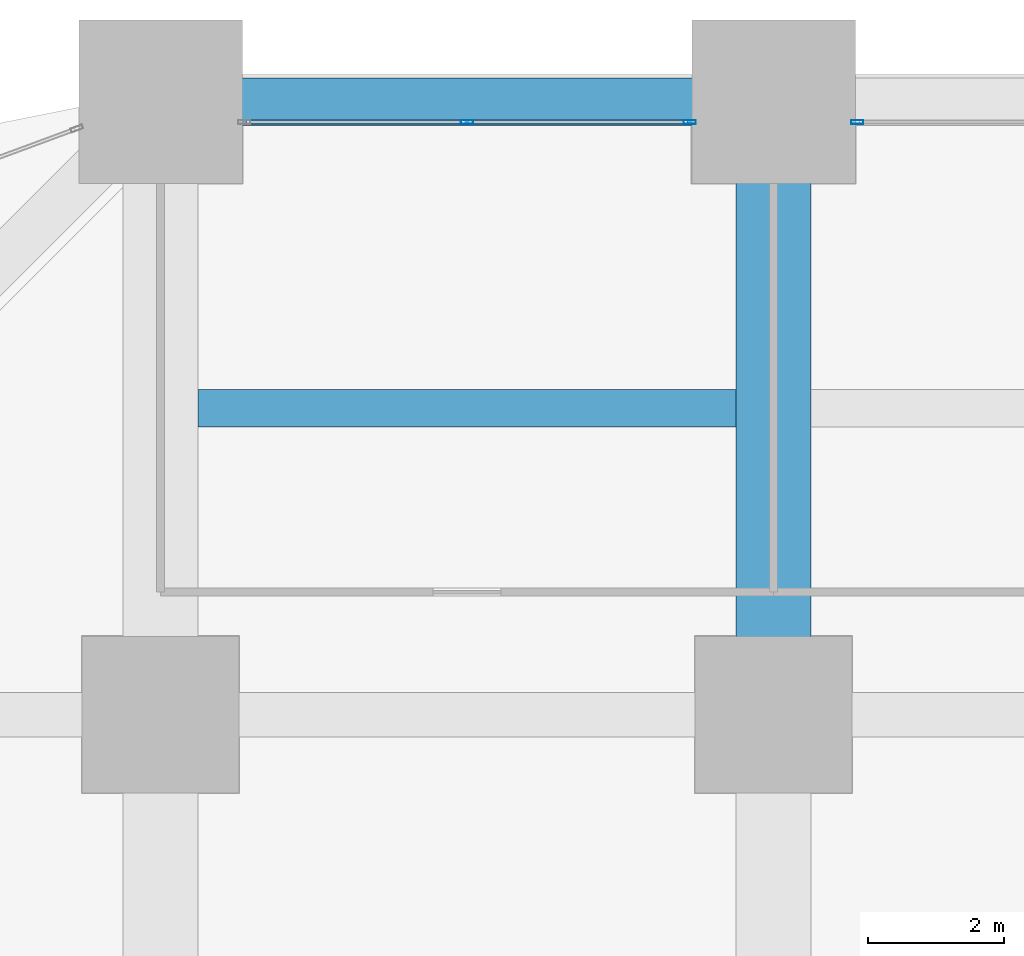
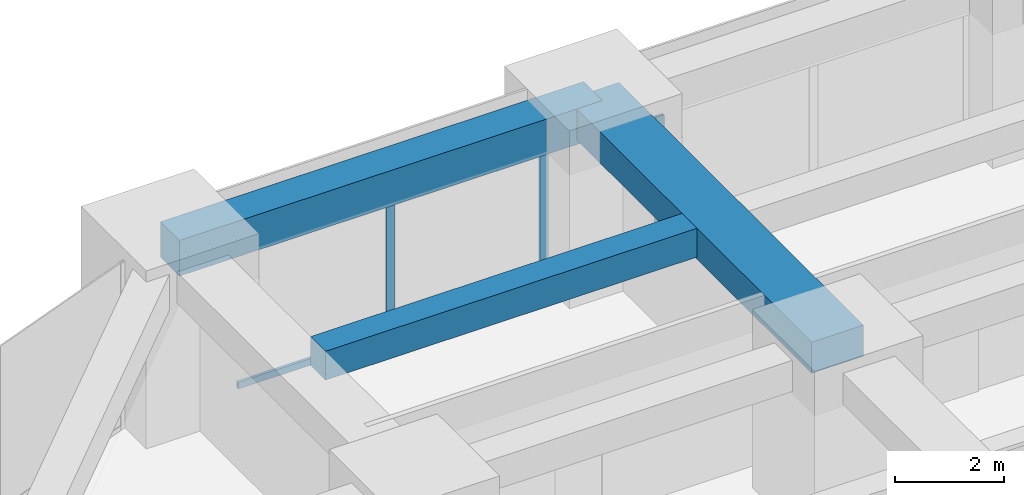
# One storey, part 19 of 39: 4 members, 3 beams, 2 elements without a shape of their own.
"""IFC4 building model written with IfcOpenShell, lengths in metres."""

from ifc_helpers import new_model, si_unit, direction, frame, origin, origin_2d, place, context, subcontext, project, spatial, rectangle, hollow_rectangle, extrude, material, material_profile, profile_set, type_object, element, aggregate, save


model = new_model("IFC4")

# Units and contexts
model_context = context("Model", 3, precision=1e-05, world=origin(), true_north=direction((0.0, 1.0)))
body_context = subcontext(model_context, "Body", "Model", "MODEL_VIEW")
ifc_project = project(units=[si_unit("LENGTHUNIT", "METRE"), si_unit("AREAUNIT", "SQUARE_METRE"), si_unit("VOLUMEUNIT", "CUBIC_METRE"), si_unit("PLANEANGLEUNIT", "RADIAN"), si_unit("MASSUNIT", "GRAM", prefix="KILO")], contexts=[model_context])

# Site, building, storey
site_placement = place(None, origin())
site = spatial("IfcSite", under=ifc_project, at=site_placement, CompositionType="ELEMENT")
building_placement = place(site_placement, origin())
building = spatial("IfcBuilding", under=site, at=building_placement, Name="Zorevar Civic Tower", CompositionType="ELEMENT")
storey_placement = place(building_placement, frame((0.0, 0.0, 19.800048828125)))
storey = spatial("IfcBuildingStorey", under=building, at=storey_placement, Name="L04", CompositionType="ELEMENT", Elevation=19.800048828125)

# Beams
ifc_material_1 = material(Name="Concrete C50/60", Category="concrete")
ifc_material_profile_1 = material_profile(ifc_material_1, rectangle(XDim=1.10009765625, YDim=0.699951171875, at=origin_2d()), Name="RC 1100x700")
ifc_profile_set_1 = profile_set([ifc_material_profile_1], Name="Concrete C50/60")
beam_type_1 = type_object("IfcBeamType", Name="Beam RC 1100x700", PredefinedType="BEAM", material=ifc_profile_set_1)
beam_1_placement = place(storey_placement, frame((18.0, 45.0, 3.39990234375), z_axis=(0.0, 1.0, 0.0), x_axis=(-1.0, 0.0, 0.0)))
element("IfcBeam", 1, at=beam_1_placement, inside=storey, type_object=beam_type_1, Name="Girder L05", PredefinedType="BEAM", context=body_context, shape_type="SweptSolid", body=[
    extrude(rectangle(XDim=1.10009765625, YDim=0.699951171875, at=origin_2d()), origin(), (0.0, 0.0, 1.0), 9.0),
])
ifc_material_2 = material(Name="Concrete C50/60", Category="concrete")
ifc_material_profile_2 = material_profile(ifc_material_2, rectangle(XDim=0.550048828125, YDim=0.64990234375, at=origin_2d()), Name="RC 550x650")
ifc_profile_set_2 = profile_set([ifc_material_profile_2], Name="Concrete C50/60")
beam_type_2 = type_object("IfcBeamType", Name="Beam RC 550x650", PredefinedType="BEAM", material=ifc_profile_set_2)
beam_2_placement = place(storey_placement, frame((9.550048828125, 49.5, 3.425048828125), z_axis=(1.0, 0.0, 0.0), x_axis=(0.0, 1.0, 0.0)))
element("IfcBeam", 2, at=beam_2_placement, inside=storey, type_object=beam_type_2, Name="Secondary beam L05", PredefinedType="BEAM", context=body_context, shape_type="SweptSolid", body=[
    extrude(rectangle(XDim=0.550048828125, YDim=0.64990234375, at=origin_2d()), origin(), (0.0, 0.0, 1.0), 7.89990234375),
])

# Curtain wall, members
ifc_material_3 = material(Name="Dark grey solar-control glass in black aluminium frame", Category="aluminium")
curtain_wall_type = type_object("IfcCurtainWallType", Name="Curtain wall CW2 low zone", PredefinedType="NOTDEFINED", material=ifc_material_3)
curtain_wall_1_placement = place(storey_placement, origin())
curtain_wall_1 = element("IfcCurtainWall", 3, at=curtain_wall_1_placement, inside=storey, type_object=curtain_wall_type, Name="CW2 L04", PredefinedType="NOTDEFINED")
ifc_material_4 = material(Name="Aluminium, black anodised", Category="aluminium")
ifc_material_profile_3 = material_profile(ifc_material_4, hollow_rectangle(XDim=0.06005859375, YDim=0.179931640625, WallThickness=0.00390625, at=origin_2d()), Name="AL 180x60x4")
ifc_profile_set_3 = profile_set([ifc_material_profile_3], Name="Aluminium, black anodised")
member_type_1 = type_object("IfcMemberType", Name="CW2 mullion AL 180x60x4", PredefinedType="MULLION", material=ifc_profile_set_3)
member_1_placement = place(storey_placement, frame((13.5, 53.699951171875, 0.06005859375), z_axis=(0.0, 0.0, 1.0), x_axis=(0.0, 1.0, 0.0)))
member_1 = element("IfcMember", 4, at=member_1_placement, type_object=member_type_1, Name="CW2 mullion 2", PredefinedType="MULLION", context=body_context, shape_type="SweptSolid", body=[
    extrude(hollow_rectangle(XDim=0.06005859375, YDim=0.179931640625, WallThickness=0.00390625, at=origin_2d()), origin(), (0.0, 0.0, 1.0), 2.889892578125),
])
member_2_placement = place(storey_placement, frame((16.77001953125, 53.699951171875, 0.0), z_axis=(0.0, 0.0, 1.0), x_axis=(0.0, 1.0, 0.0)))
member_2 = element("IfcMember", 5, at=member_2_placement, type_object=member_type_1, Name="CW2 mullion 3", PredefinedType="MULLION", context=body_context, shape_type="SweptSolid", body=[
    extrude(hollow_rectangle(XDim=0.06005859375, YDim=0.179931640625, WallThickness=0.00390625, at=origin_2d()), origin(), (0.0, 0.0, 1.0), 2.949951171875),
])

# Curtain wall, member
curtain_wall_2_placement = place(storey_placement, origin())
curtain_wall_2 = element("IfcCurtainWall", 6, at=curtain_wall_2_placement, inside=storey, type_object=curtain_wall_type, Name="CW2 L04", PredefinedType="NOTDEFINED")
member_3_placement = place(storey_placement, frame((19.22998046875, 53.699951171875, 0.0), z_axis=(0.0, 0.0, 1.0), x_axis=(0.0, 1.0, 0.0)))
member_3 = element("IfcMember", 7, at=member_3_placement, type_object=member_type_1, Name="CW2 mullion 1", PredefinedType="MULLION", context=body_context, shape_type="SweptSolid", body=[
    extrude(hollow_rectangle(XDim=0.06005859375, YDim=0.179931640625, WallThickness=0.00390625, at=origin_2d()), origin(), (0.0, 0.0, 1.0), 2.949951171875),
])
aggregate(curtain_wall_2, [member_3])

# Member
ifc_material_5 = material(Name="Aluminium, black anodised", Category="aluminium")
ifc_material_profile_4 = material_profile(ifc_material_5, hollow_rectangle(XDim=0.06005859375, YDim=0.14990234375, WallThickness=0.00390625, at=origin_2d()), Name="AL 150x60x4")
ifc_profile_set_4 = profile_set([ifc_material_profile_4], Name="Aluminium, black anodised")
member_type_2 = type_object("IfcMemberType", Name="CW2 transom AL 150x60x4", PredefinedType="USERDEFINED", material=ifc_profile_set_4)
member_4_placement = place(storey_placement, frame((10.260009765625, 53.699951171875, 0.030029296875), z_axis=(1.0, 0.0, 0.0), x_axis=(0.0, 1.0, 0.0)))
member_4 = element("IfcMember", 8, at=member_4_placement, type_object=member_type_2, Name="CW2 sill transom", ObjectType="TRANSOM", PredefinedType="USERDEFINED", context=body_context, shape_type="SweptSolid", body=[
    extrude(hollow_rectangle(XDim=0.06005859375, YDim=0.14990234375, WallThickness=0.00390625, at=origin_2d()), origin(), (0.0, 0.0, 1.0), 6.47998046875),
])

aggregate(curtain_wall_1, [member_1, member_2, member_4])

# Beam
ifc_material_6 = material(Name="Concrete C50/60", Category="concrete")
ifc_material_profile_5 = material_profile(ifc_material_6, rectangle(XDim=0.699951171875, YDim=0.800048828125, at=origin_2d()), Name="RC 700x800")
ifc_profile_set_5 = profile_set([ifc_material_profile_5], Name="Concrete C50/60")
beam_type_3 = type_object("IfcBeamType", Name="Edge beam RC 700x800", PredefinedType="SPANDREL", material=ifc_profile_set_5)
beam_3_placement = place(storey_placement, frame((9.0, 54.0, 3.349853515625), z_axis=(1.0, 0.0, 0.0), x_axis=(0.0, 1.0, 0.0)))
element("IfcBeam", 9, at=beam_3_placement, inside=storey, type_object=beam_type_3, Name="Edge beam L05", PredefinedType="SPANDREL", context=body_context, shape_type="SweptSolid", body=[
    extrude(rectangle(XDim=0.699951171875, YDim=0.800048828125, at=origin_2d()), origin(), (0.0, 0.0, 1.0), 9.0),
])

save(model, "model.ifc")
